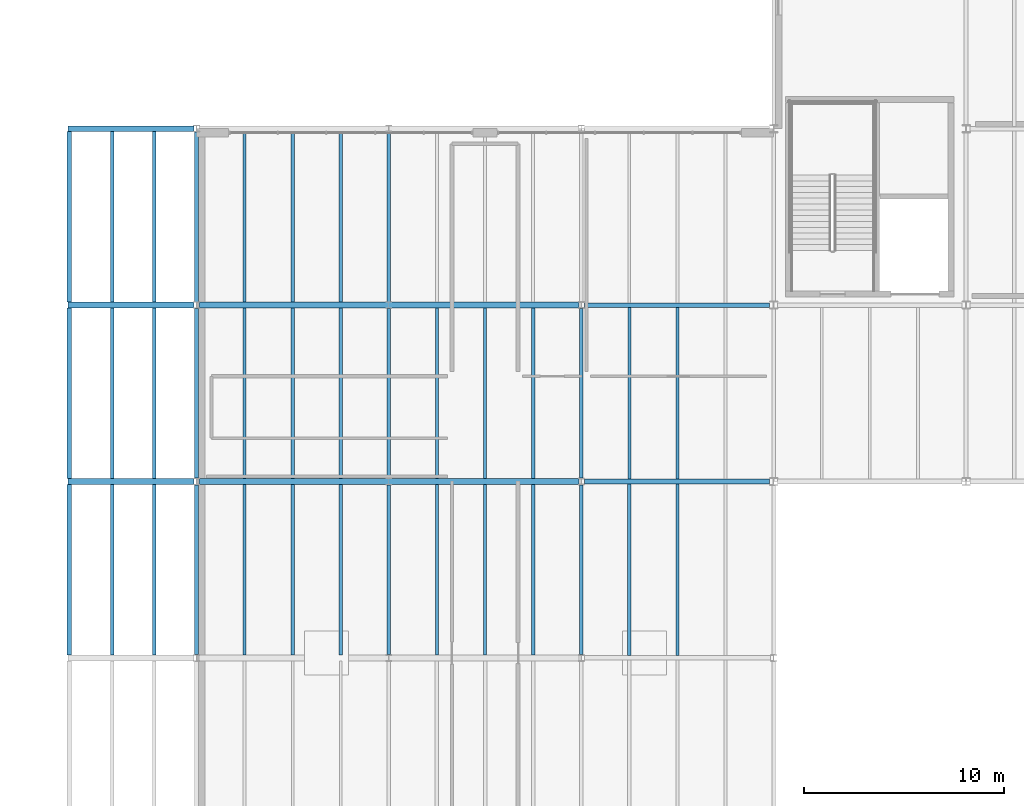
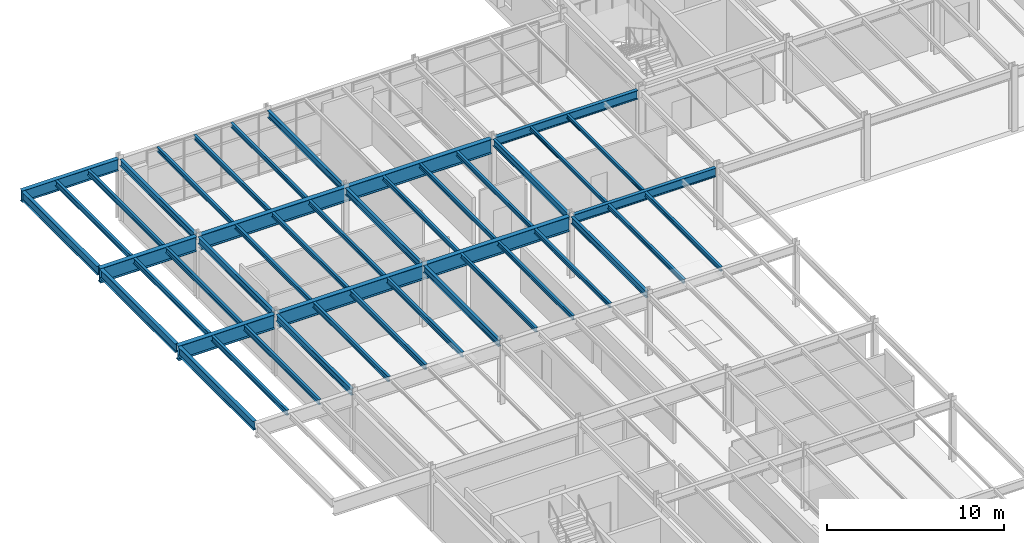
# One storey, part 30 of 77: 43 beams.
"""IFC4 building model written with IfcOpenShell, lengths in metres."""

from ifc_helpers import new_model, si_unit, direction, frame, origin, origin_2d, place, context, subcontext, project, spatial, i_section, extrude, material, material_profile, profile_set, type_object, element, save


model = new_model("IFC4")

# Units and contexts
model_context = context("Model", 3, precision=1e-05, world=origin(), true_north=direction((0.0, 1.0)))
body_context = subcontext(model_context, "Body", "Model", "MODEL_VIEW")
ifc_project = project(units=[si_unit("LENGTHUNIT", "METRE"), si_unit("AREAUNIT", "SQUARE_METRE"), si_unit("VOLUMEUNIT", "CUBIC_METRE"), si_unit("PLANEANGLEUNIT", "RADIAN"), si_unit("MASSUNIT", "GRAM", prefix="KILO")], contexts=[model_context])

# Site, building, storey
site_placement = place(None, origin())
site = spatial("IfcSite", under=ifc_project, at=site_placement, CompositionType="ELEMENT")
building_placement = place(site_placement, origin())
building = spatial("IfcBuilding", under=site, at=building_placement, Name="Sarnbrook Museum", CompositionType="ELEMENT")
storey_placement = place(building_placement, frame((0.0, 0.0, 5.60009765625)))
storey = spatial("IfcBuildingStorey", under=building, at=storey_placement, Name="L01", CompositionType="ELEMENT", Elevation=5.60009765625)

# Beams
ifc_material_1 = material(Name="Structural Steel Grade 300PLUS (AS/NZS 3679.1, fy = 280 MPa for 17 < t <= 40 mm, 300 MPa for t <= 17 mm)", Category="steel")
ifc_material_profile_1 = material_profile(ifc_material_1, i_section(OverallWidth=0.18994140625, OverallDepth=0.45703125, WebThickness=0.009033203125, FlangeThickness=0.014404296875, FilletRadius=0.011474609375, at=origin_2d()), Name="460UB74.6")
ifc_profile_set_1 = profile_set([ifc_material_profile_1], Name="Structural Steel Grade 300PLUS (AS/NZS 3679.1, fy = 280 MPa for 17 < t <= 40 mm, 300 MPa for t <= 17 mm)")
beam_type_1 = type_object("IfcBeamType", Name="BM-UB460", PredefinedType="BEAM", material=ifc_profile_set_1)
for number, where, z_axis, x_axis, name in (
    (1, (13.60009765625, 65.763427734375, 3.991455078125), (0.0, 1.0, 0.0), (-1.0, 0.0, 0.0), "Girder 2:H-J L01"),
    (2, (13.60009765625, 74.5634765625, 3.991455078125), (0.0, 1.0, 0.0), (-1.0, 0.0, 0.0), "Girder 2:J-K L01"),
):
    element("IfcBeam", number, at=place(storey_placement, frame(where, z_axis=z_axis, x_axis=x_axis)), inside=storey, type_object=beam_type_1, Name=name, PredefinedType="BEAM", context=body_context, shape_type="SweptSolid", body=[
        extrude(i_section(OverallWidth=0.18994140625, OverallDepth=0.45703125, WebThickness=0.009033203125, FlangeThickness=0.014404296875, FilletRadius=0.011474609375, at=origin_2d()), origin(), (0.0, 0.0, 1.0), 8.47314453125),
    ])
beam_1_placement = place(storey_placement, frame((13.60009765625, 83.363525390625, 3.991455078125), z_axis=(0.0, 1.0, 0.0), x_axis=(-1.0, 0.0, 0.0)))
element("IfcBeam", 3, at=beam_1_placement, inside=storey, type_object=beam_type_1, Name="Girder 2:K-L L01", PredefinedType="BEAM", context=body_context, shape_type="SweptSolid", body=[
    extrude(i_section(OverallWidth=0.18994140625, OverallDepth=0.45703125, WebThickness=0.009033203125, FlangeThickness=0.014404296875, FilletRadius=0.011474609375, at=origin_2d()), origin(), (0.0, 0.0, 1.0), 8.472900390625),
])
for number, where, z_axis, x_axis, name in (
    (4, (23.199951171875, 65.763427734375, 3.991455078125), (0.0, 1.0, 0.0), (-1.0, 0.0, 0.0), "Girder 3:H-J L01"),
    (5, (23.199951171875, 74.5634765625, 3.991455078125), (0.0, 1.0, 0.0), (-1.0, 0.0, 0.0), "Girder 3:J-K L01"),
):
    element("IfcBeam", number, at=place(storey_placement, frame(where, z_axis=z_axis, x_axis=x_axis)), inside=storey, type_object=beam_type_1, Name=name, PredefinedType="BEAM", context=body_context, shape_type="SweptSolid", body=[
        extrude(i_section(OverallWidth=0.18994140625, OverallDepth=0.45703125, WebThickness=0.009033203125, FlangeThickness=0.014404296875, FilletRadius=0.011474609375, at=origin_2d()), origin(), (0.0, 0.0, 1.0), 8.47314453125),
    ])
beam_2_placement = place(storey_placement, frame((23.199951171875, 83.363525390625, 3.991455078125), z_axis=(0.0, 1.0, 0.0), x_axis=(-1.0, 0.0, 0.0)))
element("IfcBeam", 6, at=beam_2_placement, inside=storey, type_object=beam_type_1, Name="Girder 3:K-L L01", PredefinedType="BEAM", context=body_context, shape_type="SweptSolid", body=[
    extrude(i_section(OverallWidth=0.18994140625, OverallDepth=0.45703125, WebThickness=0.009033203125, FlangeThickness=0.014404296875, FilletRadius=0.011474609375, at=origin_2d()), origin(), (0.0, 0.0, 1.0), 8.472900390625),
])
for number, where, z_axis, x_axis, name in (
    (7, (32.800048828125, 65.763427734375, 3.991455078125), (0.0, 1.0, 0.0), (-1.0, 0.0, 0.0), "Girder 4:H-J L01"),
    (8, (32.800048828125, 74.5634765625, 3.991455078125), (0.0, 1.0, 0.0), (-1.0, 0.0, 0.0), "Girder 4:J-K L01"),
):
    element("IfcBeam", number, at=place(storey_placement, frame(where, z_axis=z_axis, x_axis=x_axis)), inside=storey, type_object=beam_type_1, Name=name, PredefinedType="BEAM", context=body_context, shape_type="SweptSolid", body=[
        extrude(i_section(OverallWidth=0.18994140625, OverallDepth=0.45703125, WebThickness=0.009033203125, FlangeThickness=0.014404296875, FilletRadius=0.011474609375, at=origin_2d()), origin(), (0.0, 0.0, 1.0), 8.47314453125),
    ])
ifc_material_profile_2 = material_profile(ifc_material_1, i_section(OverallWidth=0.22802734375, OverallDepth=0.60693359375, WebThickness=0.01123046875, FlangeThickness=0.017333984375, FilletRadius=0.013916015625, at=origin_2d()), Name="610UB113")
ifc_profile_set_2 = profile_set([ifc_material_profile_2], Name="Structural Steel Grade 300PLUS (AS/NZS 3679.1, fy = 280 MPa for 17 < t <= 40 mm, 300 MPa for t <= 17 mm)")
beam_type_2 = type_object("IfcBeamType", Name="BM-UB610", PredefinedType="BEAM", material=ifc_profile_set_2)
for number, where, z_axis, x_axis, name in (
    (9, (32.95556640625, 74.39990234375, 3.91650390625), (1.0, 0.0, 0.0), (0.0, 1.0, 0.0), "Girder J:4-5 L01"),
    (10, (32.95556640625, 83.199951171875, 3.91650390625), (1.0, 0.0, 0.0), (0.0, 1.0, 0.0), "Girder K:4-5 L01"),
):
    element("IfcBeam", number, at=place(storey_placement, frame(where, z_axis=z_axis, x_axis=x_axis)), inside=storey, type_object=beam_type_2, Name=name, PredefinedType="BEAM", context=body_context, shape_type="SweptSolid", body=[
        extrude(i_section(OverallWidth=0.22802734375, OverallDepth=0.60693359375, WebThickness=0.01123046875, FlangeThickness=0.017333984375, FilletRadius=0.013916015625, at=origin_2d()), origin(), (0.0, 0.0, 1.0), 9.244384765625),
    ])
for number, where, z_axis, x_axis, name in (
    (11, (7.25, 65.75, 3.91650390625), (0.0, 1.0, 0.0), (-1.0, 0.0, 0.0), "Cantilever Gallery Joist L01 X=7.25"),
    (12, (7.25, 74.550048828125, 3.91650390625), (0.0, 1.0, 0.0), (-1.0, 0.0, 0.0), "Cantilever Gallery Joist L01 X=7.25"),
    (13, (7.25, 83.35009765625, 3.91650390625), (0.0, 1.0, 0.0), (-1.0, 0.0, 0.0), "Cantilever Gallery Joist L01 X=7.25"),
):
    element("IfcBeam", number, at=place(storey_placement, frame(where, z_axis=z_axis, x_axis=x_axis)), inside=storey, type_object=beam_type_2, Name=name, PredefinedType="BEAM", context=body_context, shape_type="SweptSolid", body=[
        extrude(i_section(OverallWidth=0.22802734375, OverallDepth=0.60693359375, WebThickness=0.01123046875, FlangeThickness=0.017333984375, FilletRadius=0.013916015625, at=origin_2d()), origin(), (0.0, 0.0, 1.0), 8.5),
    ])
ifc_material_2 = material(Name="Structural Steel Grade 350L0 (AS/NZS 3678, fy = 340 MPa for 20 < t <= 40 mm)", Category="steel")
ifc_material_profile_3 = material_profile(ifc_material_2, i_section(OverallWidth=0.27490234375, OverallDepth=0.800048828125, WebThickness=0.010009765625, FlangeThickness=0.01611328125, at=origin_2d()), Name="800WB146")
ifc_profile_set_3 = profile_set([ifc_material_profile_3], Name="Structural Steel Grade 350L0 (AS/NZS 3678, fy = 340 MPa for 20 < t <= 40 mm)")
beam_type_3 = type_object("IfcBeamType", Name="CR-CANT", PredefinedType="BEAM", material=ifc_profile_set_3)
beam_3_placement = place(storey_placement, frame((13.47998046875, 92.0, 3.81982421875), z_axis=(-1.0, 0.0, 0.0), x_axis=(0.0, -1.0, 0.0)))
element("IfcBeam", 14, at=beam_3_placement, inside=storey, type_object=beam_type_3, Name="Cantilever North Edge Girder L01", PredefinedType="BEAM", context=body_context, shape_type="SweptSolid", body=[
    extrude(i_section(OverallWidth=0.27490234375, OverallDepth=0.800048828125, WebThickness=0.010009765625, FlangeThickness=0.01611328125, at=origin_2d()), origin(), (0.0, 0.0, 1.0), 6.280029296875),
])
ifc_material_profile_4 = material_profile(ifc_material_1, i_section(OverallWidth=0.14599609375, OverallDepth=0.256103515625, WebThickness=0.00634765625, FlangeThickness=0.010986328125, FilletRadius=0.0087890625, at=origin_2d()), Name="250UB37.3")
ifc_profile_set_4 = profile_set([ifc_material_profile_4], Name="Structural Steel Grade 300PLUS (AS/NZS 3679.1, fy = 280 MPa for 17 < t <= 40 mm, 300 MPa for t <= 17 mm)")
beam_type_4 = type_object("IfcBeamType", Name="JS-UB250", PredefinedType="JOIST", material=ifc_profile_set_4)
for number, where, z_axis, x_axis, name in (
    (15, (35.199951171875, 74.513916015625, 4.091796875), (0.0, 1.0, 0.0), (-1.0, 0.0, 0.0), "Composite Floor Joist 4J-1 L01"),
    (16, (37.60009765625, 74.513916015625, 4.091796875), (0.0, 1.0, 0.0), (-1.0, 0.0, 0.0), "Composite Floor Joist 4J-2 L01"),
):
    element("IfcBeam", number, at=place(storey_placement, frame(where, z_axis=z_axis, x_axis=x_axis)), inside=storey, type_object=beam_type_4, Name=name, PredefinedType="JOIST", context=body_context, shape_type="SweptSolid", body=[
        extrude(i_section(OverallWidth=0.14599609375, OverallDepth=0.256103515625, WebThickness=0.00634765625, FlangeThickness=0.010986328125, FilletRadius=0.0087890625, at=origin_2d()), origin(), (0.0, 0.0, 1.0), 8.572021484375),
    ])
ifc_material_profile_5 = material_profile(ifc_material_1, i_section(OverallWidth=0.1650390625, OverallDepth=0.303955078125, WebThickness=0.006103515625, FlangeThickness=0.01025390625, FilletRadius=0.011474609375, at=origin_2d()), Name="310UB40.4")
ifc_profile_set_5 = profile_set([ifc_material_profile_5], Name="Structural Steel Grade 300PLUS (AS/NZS 3679.1, fy = 280 MPa for 17 < t <= 40 mm, 300 MPa for t <= 17 mm)")
beam_type_5 = type_object("IfcBeamType", Name="JS-UB310", PredefinedType="JOIST", material=ifc_profile_set_5)
for number, where, z_axis, x_axis, name in (
    (17, (16.0, 83.35009765625, 4.06787109375), (0.0, 1.0, 0.0), (-1.0, 0.0, 0.0), "Composite Floor Joist 2K-1 L01"),
    (18, (18.39990234375, 83.35009765625, 4.06787109375), (0.0, 1.0, 0.0), (-1.0, 0.0, 0.0), "Composite Floor Joist 2K-2 L01"),
    (19, (20.800048828125, 83.35009765625, 4.06787109375), (0.0, 1.0, 0.0), (-1.0, 0.0, 0.0), "Composite Floor Joist 2K-3 L01"),
    (20, (25.60009765625, 74.550048828125, 4.06787109375), (0.0, 1.0, 0.0), (-1.0, 0.0, 0.0), "Composite Floor Joist 3J-1 L01"),
    (21, (28.0, 74.550048828125, 4.06787109375), (0.0, 1.0, 0.0), (-1.0, 0.0, 0.0), "Composite Floor Joist 3J-2 L01"),
    (22, (30.39990234375, 74.550048828125, 4.06787109375), (0.0, 1.0, 0.0), (-1.0, 0.0, 0.0), "Composite Floor Joist 3J-3 L01"),
):
    element("IfcBeam", number, at=place(storey_placement, frame(where, z_axis=z_axis, x_axis=x_axis)), inside=storey, type_object=beam_type_5, Name=name, PredefinedType="JOIST", context=body_context, shape_type="SweptSolid", body=[
        extrude(i_section(OverallWidth=0.1650390625, OverallDepth=0.303955078125, WebThickness=0.006103515625, FlangeThickness=0.01025390625, FilletRadius=0.011474609375, at=origin_2d()), origin(), (0.0, 0.0, 1.0), 8.5),
    ])
for number, where, z_axis, x_axis, name in (
    (23, (35.199951171875, 65.714111328125, 4.06787109375), (0.0, 1.0, 0.0), (-1.0, 0.0, 0.0), "Composite Floor Joist 4H-1 L01"),
    (24, (37.60009765625, 65.714111328125, 4.06787109375), (0.0, 1.0, 0.0), (-1.0, 0.0, 0.0), "Composite Floor Joist 4H-2 L01"),
):
    element("IfcBeam", number, at=place(storey_placement, frame(where, z_axis=z_axis, x_axis=x_axis)), inside=storey, type_object=beam_type_5, Name=name, PredefinedType="JOIST", context=body_context, shape_type="SweptSolid", body=[
        extrude(i_section(OverallWidth=0.1650390625, OverallDepth=0.303955078125, WebThickness=0.006103515625, FlangeThickness=0.01025390625, FilletRadius=0.011474609375, at=origin_2d()), origin(), (0.0, 0.0, 1.0), 8.57177734375),
    ])
ifc_material_profile_6 = material_profile(ifc_material_1, i_section(OverallWidth=0.166015625, OverallDepth=0.306884765625, WebThickness=0.006591796875, FlangeThickness=0.01171875, FilletRadius=0.011474609375, at=origin_2d()), Name="310UB46.2")
ifc_profile_set_6 = profile_set([ifc_material_profile_6], Name="Structural Steel Grade 300PLUS (AS/NZS 3679.1, fy = 280 MPa for 17 < t <= 40 mm, 300 MPa for t <= 17 mm)")
beam_type_6 = type_object("IfcBeamType", Name="JS-UB310H", PredefinedType="JOIST", material=ifc_profile_set_6)
for number, where, z_axis, x_axis, name in (
    (25, (16.0, 74.550048828125, 4.06640625), (0.0, 1.0, 0.0), (-1.0, 0.0, 0.0), "Composite Floor Joist 2J-1 L01"),
    (26, (18.39990234375, 74.550048828125, 4.06640625), (0.0, 1.0, 0.0), (-1.0, 0.0, 0.0), "Composite Floor Joist 2J-2 L01"),
    (27, (20.800048828125, 74.550048828125, 4.06640625), (0.0, 1.0, 0.0), (-1.0, 0.0, 0.0), "Composite Floor Joist 2J-3 L01"),
    (28, (25.60009765625, 65.75, 4.06640625), (0.0, 1.0, 0.0), (-1.0, 0.0, 0.0), "Composite Floor Joist 3H-1 L01"),
    (29, (28.0, 65.75, 4.06640625), (0.0, 1.0, 0.0), (-1.0, 0.0, 0.0), "Composite Floor Joist 3H-2 L01"),
    (30, (30.39990234375, 65.75, 4.06640625), (0.0, 1.0, 0.0), (-1.0, 0.0, 0.0), "Composite Floor Joist 3H-3 L01"),
):
    element("IfcBeam", number, at=place(storey_placement, frame(where, z_axis=z_axis, x_axis=x_axis)), inside=storey, type_object=beam_type_6, Name=name, PredefinedType="JOIST", context=body_context, shape_type="SweptSolid", body=[
        extrude(i_section(OverallWidth=0.166015625, OverallDepth=0.306884765625, WebThickness=0.006591796875, FlangeThickness=0.01171875, FilletRadius=0.011474609375, at=origin_2d()), origin(), (0.0, 0.0, 1.0), 8.5),
    ])
ifc_material_profile_7 = material_profile(ifc_material_1, i_section(OverallWidth=0.1708984375, OverallDepth=0.35595703125, WebThickness=0.00732421875, FlangeThickness=0.011474609375, FilletRadius=0.011474609375, at=origin_2d()), Name="360UB50.7")
ifc_profile_set_7 = profile_set([ifc_material_profile_7], Name="Structural Steel Grade 300PLUS (AS/NZS 3679.1, fy = 280 MPa for 17 < t <= 40 mm, 300 MPa for t <= 17 mm)")
beam_type_7 = type_object("IfcBeamType", Name="JS-UB360", PredefinedType="JOIST", material=ifc_profile_set_7)
for number, where, z_axis, x_axis, name in (
    (31, (16.0, 65.75, 4.0419921875), (0.0, 1.0, 0.0), (-1.0, 0.0, 0.0), "Composite Floor Joist 2H-1 L01"),
    (32, (18.39990234375, 65.75, 4.0419921875), (0.0, 1.0, 0.0), (-1.0, 0.0, 0.0), "Composite Floor Joist 2H-2 L01"),
    (33, (20.800048828125, 65.75, 4.0419921875), (0.0, 1.0, 0.0), (-1.0, 0.0, 0.0), "Composite Floor Joist 2H-3 L01"),
    (34, (9.39990234375, 65.75, 4.0419921875), (0.0, 1.0, 0.0), (-1.0, 0.0, 0.0), "Cantilever Gallery Joist L01 X=9.4"),
    (35, (9.39990234375, 74.550048828125, 4.0419921875), (0.0, 1.0, 0.0), (-1.0, 0.0, 0.0), "Cantilever Gallery Joist L01 X=9.4"),
    (36, (9.39990234375, 83.35009765625, 4.0419921875), (0.0, 1.0, 0.0), (-1.0, 0.0, 0.0), "Cantilever Gallery Joist L01 X=9.4"),
    (37, (11.5, 65.75, 4.0419921875), (0.0, 1.0, 0.0), (-1.0, 0.0, 0.0), "Cantilever Gallery Joist L01 X=11.5"),
    (38, (11.5, 74.550048828125, 4.0419921875), (0.0, 1.0, 0.0), (-1.0, 0.0, 0.0), "Cantilever Gallery Joist L01 X=11.5"),
    (39, (11.5, 83.35009765625, 4.0419921875), (0.0, 1.0, 0.0), (-1.0, 0.0, 0.0), "Cantilever Gallery Joist L01 X=11.5"),
):
    element("IfcBeam", number, at=place(storey_placement, frame(where, z_axis=z_axis, x_axis=x_axis)), inside=storey, type_object=beam_type_7, Name=name, PredefinedType="JOIST", context=body_context, shape_type="SweptSolid", body=[
        extrude(i_section(OverallWidth=0.1708984375, OverallDepth=0.35595703125, WebThickness=0.00732421875, FlangeThickness=0.011474609375, FilletRadius=0.011474609375, at=origin_2d()), origin(), (0.0, 0.0, 1.0), 8.5),
    ])
ifc_material_profile_8 = material_profile(ifc_material_2, i_section(OverallWidth=0.300048828125, OverallDepth=1.0, WebThickness=0.01611328125, FlangeThickness=0.02490234375, at=origin_2d()), Name="1000WB215")
ifc_profile_set_8 = profile_set([ifc_material_profile_8], Name="Structural Steel Grade 350L0 (AS/NZS 3678, fy = 340 MPa for 20 < t <= 40 mm)")
beam_type_8 = type_object("IfcBeamType", Name="TT-CHORD", PredefinedType="BEAM", material=ifc_profile_set_8)
beam_4_placement = place(storey_placement, frame((32.679931640625, 74.39990234375, 3.719970703125), z_axis=(-1.0, 0.0, 0.0), x_axis=(0.0, -1.0, 0.0)))
element("IfcBeam", 40, at=beam_4_placement, inside=storey, type_object=beam_type_8, Name="Cantilever Transfer Truss TT3 Bottom Back-Span Chord", PredefinedType="BEAM", context=body_context, shape_type="SweptSolid", body=[
    extrude(i_section(OverallWidth=0.300048828125, OverallDepth=1.0, WebThickness=0.01611328125, FlangeThickness=0.02490234375, at=origin_2d()), origin(), (0.0, 0.0, 1.0), 18.9599609375),
])
beam_5_placement = place(storey_placement, frame((13.47998046875, 74.39990234375, 3.719970703125), z_axis=(-1.0, 0.0, 0.0), x_axis=(0.0, -1.0, 0.0)))
element("IfcBeam", 41, at=beam_5_placement, inside=storey, type_object=beam_type_8, Name="Cantilever Transfer Truss TT3 Bottom Chord", PredefinedType="BEAM", context=body_context, shape_type="SweptSolid", body=[
    extrude(i_section(OverallWidth=0.300048828125, OverallDepth=1.0, WebThickness=0.01611328125, FlangeThickness=0.02490234375, at=origin_2d()), origin(), (0.0, 0.0, 1.0), 6.280029296875),
])
beam_6_placement = place(storey_placement, frame((32.679931640625, 83.199951171875, 3.719970703125), z_axis=(-1.0, 0.0, 0.0), x_axis=(0.0, -1.0, 0.0)))
element("IfcBeam", 42, at=beam_6_placement, inside=storey, type_object=beam_type_8, Name="Cantilever Transfer Truss TT4 Bottom Back-Span Chord", PredefinedType="BEAM", context=body_context, shape_type="SweptSolid", body=[
    extrude(i_section(OverallWidth=0.300048828125, OverallDepth=1.0, WebThickness=0.01611328125, FlangeThickness=0.02490234375, at=origin_2d()), origin(), (0.0, 0.0, 1.0), 18.9599609375),
])
beam_7_placement = place(storey_placement, frame((13.47998046875, 83.199951171875, 3.719970703125), z_axis=(-1.0, 0.0, 0.0), x_axis=(0.0, -1.0, 0.0)))
element("IfcBeam", 43, at=beam_7_placement, inside=storey, type_object=beam_type_8, Name="Cantilever Transfer Truss TT4 Bottom Chord", PredefinedType="BEAM", context=body_context, shape_type="SweptSolid", body=[
    extrude(i_section(OverallWidth=0.300048828125, OverallDepth=1.0, WebThickness=0.01611328125, FlangeThickness=0.02490234375, at=origin_2d()), origin(), (0.0, 0.0, 1.0), 6.280029296875),
])

save(model, "model.ifc")
